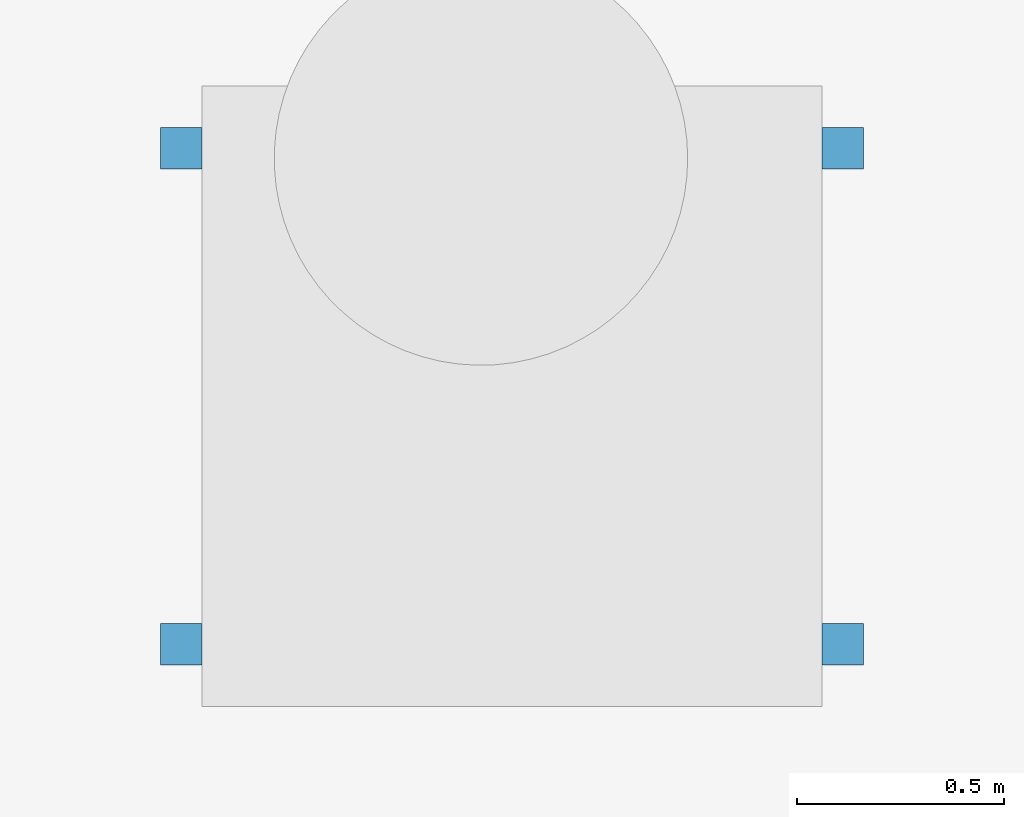
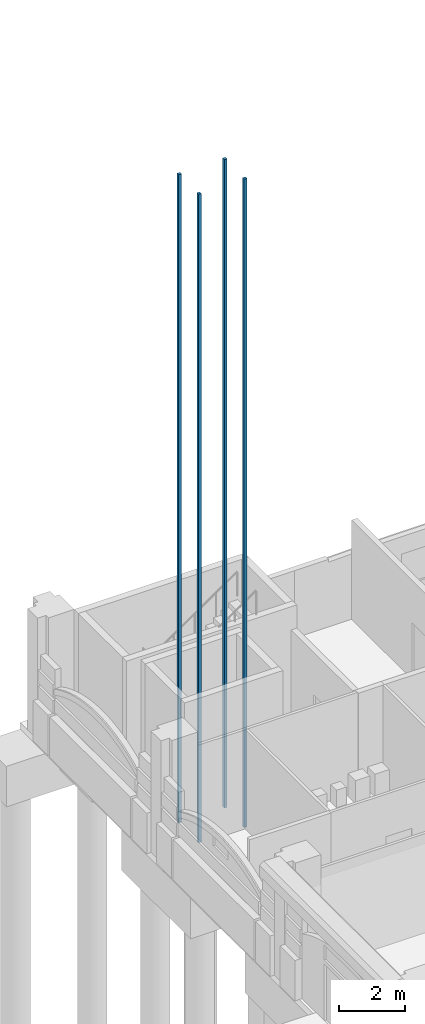
# One storey, part 52 of 99: 4 discrete accessories.
"""IFC4 building model written with IfcOpenShell, lengths in metres."""

from ifc_helpers import new_model, si_unit, direction, frame, origin, origin_2d, place, context, subcontext, project, spatial, rectangle, extrude, material, type_object, element, save


model = new_model("IFC4")

# Units and contexts
model_context = context("Model", 3, precision=1e-05, world=origin(), true_north=direction((0.0, 1.0)))
body_context = subcontext(model_context, "Body", "Model", "MODEL_VIEW")
ifc_project = project(units=[si_unit("LENGTHUNIT", "METRE"), si_unit("AREAUNIT", "SQUARE_METRE"), si_unit("VOLUMEUNIT", "CUBIC_METRE"), si_unit("PLANEANGLEUNIT", "RADIAN"), si_unit("MASSUNIT", "GRAM", prefix="KILO")], contexts=[model_context])

# Site, building, storey
site_placement = place(None, origin())
site = spatial("IfcSite", under=ifc_project, at=site_placement, CompositionType="ELEMENT")
building_placement = place(site_placement, origin())
building = spatial("IfcBuilding", under=site, at=building_placement, Name="Cour d'Honneur Mobility Palace", CompositionType="ELEMENT")
storey_placement = place(building_placement, origin())
storey = spatial("IfcBuildingStorey", under=building, at=storey_placement, Name="L00", CompositionType="ELEMENT", Elevation=0.0)

# Discrete accessories
ifc_material = material(Name="Steel S355", Category="steel")
discrete_accessory_type = type_object("IfcDiscreteAccessoryType", Name="Lift guide rail", PredefinedType="USERDEFINED", material=ifc_material)
for number, where, z_axis, x_axis, name in (
    (1, (1.800048828125, 109.199951171875, -1.39990234375), (0.0, 0.0, 1.0), (1.0, 0.0, 0.0), "Guide rail LF-NW1"),
    (2, (1.800048828125, 110.39990234375, -1.39990234375), (0.0, 0.0, 1.0), (1.0, 0.0, 0.0), "Guide rail LF-NW1"),
    (3, (3.39990234375, 109.199951171875, -1.39990234375), (0.0, 0.0, 1.0), (1.0, 0.0, 0.0), "Guide rail LF-NW1"),
    (4, (3.39990234375, 110.39990234375, -1.39990234375), (0.0, 0.0, 1.0), (1.0, 0.0, 0.0), "Guide rail LF-NW1"),
):
    element("IfcDiscreteAccessory", number, at=place(storey_placement, frame(where, z_axis=z_axis, x_axis=x_axis)), inside=storey, type_object=discrete_accessory_type, Name=name, ObjectType="GUIDE RAIL", PredefinedType="USERDEFINED", context=body_context, shape_type="SweptSolid", body=[
        extrude(rectangle(XDim=0.10009765625, YDim=0.10009765625, at=origin_2d()), origin(), (0.0, 0.0, 1.0), 24.050048828125),
    ])

save(model, "model.ifc")
